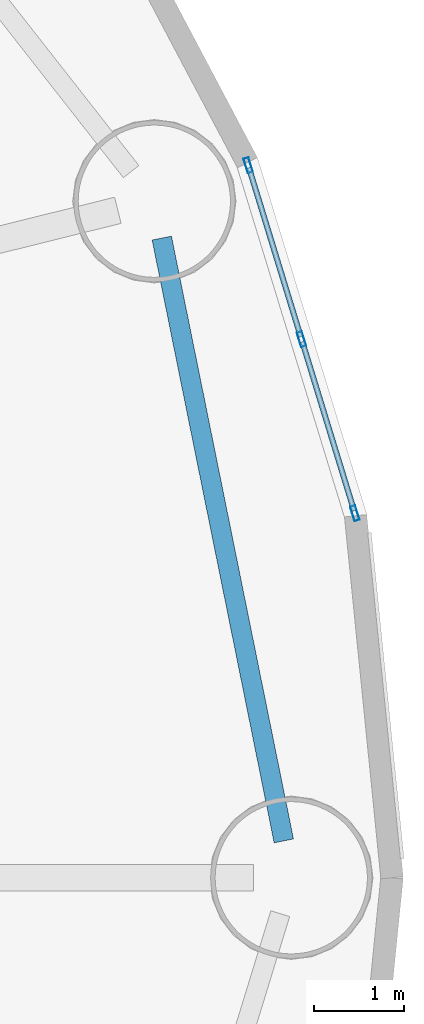
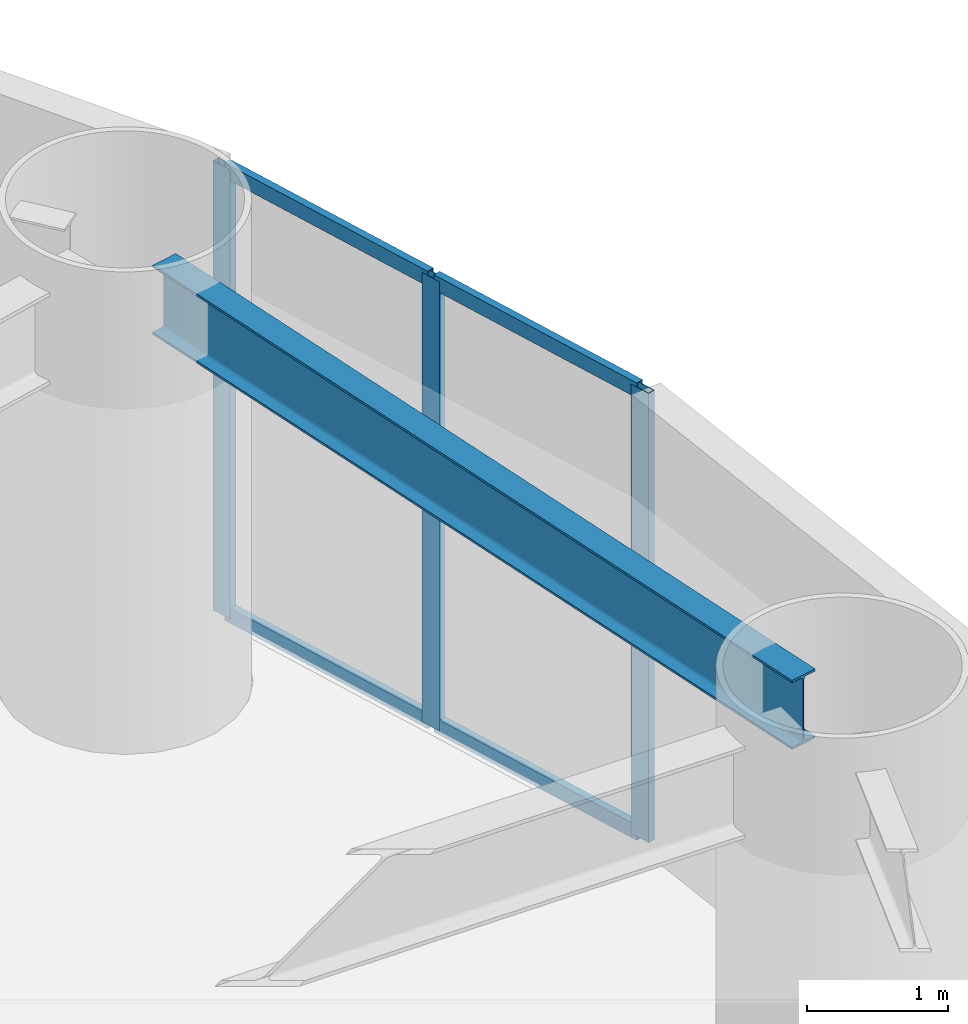
# One storey, part 11 of 31: 7 members, 1 beam, 1 element without a shape of its own.
"""IFC4 building model written with IfcOpenShell, lengths in metres."""

import ifcopenshell
import ifcopenshell.guid

model = None  # the IFC model being written
_history = None  # IfcOwnerHistory: only IFC2X3 demands one
_inside = {}  # id of a spatial element -> (the spatial element, [elements in it])
_under = {}  # id of a project, library or spatial element -> (it, [spatial elements below it])
_declared = {}  # id of a project -> (the project, [libraries it declares])
_typed = {}  # id of a type object -> (the type object, [elements of that type])
_made_of = {}  # id of a material, layer set ... -> (it, [elements and type objects made of it])


def new_model(schema):
    """Start an empty IFC model of exactly this schema.

    Asked for "IFC4X3", IfcOpenShell would pick the latest addendum, in which some entities
    have other attributes; the version numbers below select the first issue.
    IFC2X3 requires an IfcOwnerHistory on every rooted entity: one is made here for all.
    """
    global model, _history
    if schema == "IFC4X3":
        model = ifcopenshell.file(schema_version=(4, 3, 0, 0))
    else:
        model = ifcopenshell.file(schema=schema)
    _inside.clear()
    _under.clear()
    _declared.clear()
    _typed.clear()
    _made_of.clear()
    _history = None
    if model.schema == "IFC2X3":
        org = make("IfcOrganization", Name="unknown")
        user = make(
            "IfcPersonAndOrganization",
            ThePerson=make("IfcPerson", FamilyName="unknown"),
            TheOrganization=org,
        )
        app = make(
            "IfcApplication",
            ApplicationDeveloper=org,
            Version="unknown",
            ApplicationFullName="unknown",
            ApplicationIdentifier="unknown",
        )
        _history = make(
            "IfcOwnerHistory",
            OwningUser=user,
            OwningApplication=app,
            ChangeAction="ADDED",
            CreationDate=0,
        )
    return model


def make(cls, **values):
    """One entity of the class cls with the attributes given. An attribute that is None is left unset."""
    return model.create_entity(
        cls, **{name: value for name, value in values.items() if value is not None}
    )


def rooted(cls, **values):
    """An entity with a GlobalId (a new one), such as an element, a storey or a relation."""
    return make(cls, GlobalId=ifcopenshell.guid.new(), OwnerHistory=_history, **values)


def si_unit(unit_type, name, prefix=None):
    """IfcSIUnit, for example si_unit("LENGTHUNIT", "METRE", prefix="MILLI")."""
    return make("IfcSIUnit", UnitType=unit_type, Prefix=prefix, Name=name)


def assignment(units):
    """IfcUnitAssignment: the units of a project."""
    return None if units is None else make("IfcUnitAssignment", Units=units)


def point(xyz):
    """IfcCartesianPoint."""
    return None if xyz is None else make("IfcCartesianPoint", Coordinates=xyz)


def direction(xyz):
    """IfcDirection."""
    return None if xyz is None else make("IfcDirection", DirectionRatios=xyz)


def frame(location, z_axis=None, x_axis=None):
    """IfcAxis2Placement3D, a coordinate frame: its origin and axes. An axis left out is left unset."""
    return make(
        "IfcAxis2Placement3D",
        Location=point(location),
        Axis=direction(z_axis),
        RefDirection=direction(x_axis),
    )


def frame_2d(location, x_axis=None):
    """IfcAxis2Placement2D, a coordinate frame in the plane: its origin and x axis."""
    return make(
        "IfcAxis2Placement2D", Location=point(location), RefDirection=direction(x_axis)
    )


def origin():
    """The frame at (0, 0, 0) with its axes left unset."""
    return frame((0.0, 0.0, 0.0))


def origin_2d():
    """The frame at (0, 0) in the plane with its x axis left unset."""
    return frame_2d((0.0, 0.0))


def place(relative_to, where):
    """IfcLocalPlacement: puts the frame where relative to a parent placement (None: the world)."""
    return make(
        "IfcLocalPlacement", PlacementRelTo=relative_to, RelativePlacement=where
    )


def context(
    kind, dimensions, precision=None, world=None, true_north=None, identifier=None
):
    """IfcGeometricRepresentationContext, for example the 3D "Model" context."""
    return make(
        "IfcGeometricRepresentationContext",
        ContextIdentifier=identifier,
        ContextType=kind,
        CoordinateSpaceDimension=dimensions,
        Precision=precision,
        WorldCoordinateSystem=world,
        TrueNorth=true_north,
    )


def subcontext(parent, identifier, kind, view, scale=None):
    """IfcGeometricRepresentationSubContext, for example "Body" below "Model"."""
    return make(
        "IfcGeometricRepresentationSubContext",
        ContextIdentifier=identifier,
        ContextType=kind,
        ParentContext=parent,
        TargetScale=scale,
        TargetView=view,
    )


def project(units=None, contexts=None):
    """IfcProject with its units and contexts."""
    return rooted(
        "IfcProject",
        Name="project",
        RepresentationContexts=contexts,
        UnitsInContext=assignment(units),
    )


def spatial(cls, under=None, at=None, **own):
    """A site, building, storey or space (cls), placed at a placement, below another one or the project."""
    s = rooted(cls, ObjectPlacement=at, **own)
    if under is not None:
        _under.setdefault(under.id(), (under, []))[1].append(s)
    return s


def profile(cls, at=None, kind="AREA", **sizes):
    """A parametric profile (cls). Its sizes go by their IFC names, for example OverallWidth=200.0."""
    return make(cls, ProfileType=kind, Position=at, **sizes)


def hollow_rectangle(**sizes):
    """IfcRectangleHollowProfileDef."""
    return profile("IfcRectangleHollowProfileDef", **sizes)


def i_section(**sizes):
    """IfcIShapeProfileDef."""
    return profile("IfcIShapeProfileDef", **sizes)


def extrude(swept, where, along, depth):
    """IfcExtrudedAreaSolid: the profile swept, set in the frame where, extruded along a direction by depth."""
    return make(
        "IfcExtrudedAreaSolid",
        SweptArea=swept,
        Position=where,
        ExtrudedDirection=direction(along),
        Depth=depth,
    )


def shape(context_of_items, identifier, shape_type, items):
    """IfcShapeRepresentation: the items that make up one representation, for example the "Body"."""
    return make(
        "IfcShapeRepresentation",
        ContextOfItems=context_of_items,
        RepresentationIdentifier=identifier,
        RepresentationType=shape_type,
        Items=items,
    )


def source(mapping_origin, context_of_items, identifier, shape_type, items):
    """IfcRepresentationMap: a shape defined once, which mapped items show again and again."""
    return make(
        "IfcRepresentationMap",
        MappingOrigin=mapping_origin,
        MappedRepresentation=shape(context_of_items, identifier, shape_type, items),
    )


def transform(
    local_origin,
    x_axis=None,
    y_axis=None,
    z_axis=None,
    scale=None,
    scale2=None,
    scale3=None,
    uniform=True,
):
    """IfcCartesianTransformationOperator3D, or its non-uniform kind. x_axis, y_axis, z_axis: its Axis1, 2, 3."""
    if uniform:
        return make(
            "IfcCartesianTransformationOperator3D",
            Axis1=direction(x_axis),
            Axis2=direction(y_axis),
            LocalOrigin=point(local_origin),
            Scale=scale,
            Axis3=direction(z_axis),
        )
    return make(
        "IfcCartesianTransformationOperator3DnonUniform",
        Axis1=direction(x_axis),
        Axis2=direction(y_axis),
        LocalOrigin=point(local_origin),
        Scale=scale,
        Axis3=direction(z_axis),
        Scale2=scale2,
        Scale3=scale3,
    )


def mapped(mapping_source, mapping_target):
    """IfcMappedItem: shows the shape of a source again, moved by a transform."""
    return make(
        "IfcMappedItem", MappingSource=mapping_source, MappingTarget=mapping_target
    )


def material(Name=None, Category=None):
    """IfcMaterial."""
    return make("IfcMaterial", Name=Name, Category=Category)


def layer(
    of_material, thickness, ventilated=None, Name=None, Category=None, Priority=None
):
    """IfcMaterialLayer: one layer of a wall or slab, of a material (None: an air gap)."""
    return make(
        "IfcMaterialLayer",
        Material=of_material,
        LayerThickness=thickness,
        IsVentilated=ventilated,
        Name=Name,
        Category=Category,
        Priority=Priority,
    )


def layer_set(layers, Name=None):
    """IfcMaterialLayerSet."""
    return make("IfcMaterialLayerSet", MaterialLayers=layers, LayerSetName=Name)


def material_profile(
    of_material, cross_section, Name=None, Category=None, Priority=None
):
    """IfcMaterialProfile: a cross section and its material."""
    return make(
        "IfcMaterialProfile",
        Name=Name,
        Material=of_material,
        Profile=cross_section,
        Priority=Priority,
        Category=Category,
    )


def profile_set(profiles, Name=None, composite=None):
    """IfcMaterialProfileSet."""
    return make(
        "IfcMaterialProfileSet",
        Name=Name,
        MaterialProfiles=profiles,
        CompositeProfile=composite,
    )


def made_of(thing, what):
    """Note that an element or type object is made of a material, layer set ...; save() writes the relation."""
    if what is not None:
        _made_of.setdefault(what.id(), (what, []))[1].append(thing)
    return thing


def type_object(cls, material=None, **own):
    """A type object (cls), such as IfcWallType, which elements share."""
    return made_of(rooted(cls, **own), material)


def element(
    cls,
    number,
    at=None,
    inside=None,
    cuts=None,
    type_object=None,
    material=None,
    context=None,
    identifier="Body",
    shape_type=None,
    held_by="IfcProductDefinitionShape",
    body=None,
    shapes=None,
    **own,
):
    """One element of the class cls, such as IfcWall. Its Tag is "e" and its number.

    at: its placement. inside: the storey or other place that contains it. cuts: it is an
    opening in that element (IfcRelVoidsElement). A single representation is given by context,
    identifier, shape_type and body (its items); several are given by shapes. held_by: the class
    of the entity that holds the representations. save() writes the other relations.
    """
    e = rooted(cls, Tag="e%d" % number, ObjectPlacement=at, **own)
    if body is not None:
        shapes = [shape(context, identifier, shape_type, body)]
    if shapes is not None:
        e.Representation = make(held_by, Representations=shapes)
    if inside is not None:
        _inside.setdefault(inside.id(), (inside, []))[1].append(e)
    if cuts is not None:
        rooted(
            "IfcRelVoidsElement", RelatingBuildingElement=cuts, RelatedOpeningElement=e
        )
    if type_object is not None:
        _typed.setdefault(type_object.id(), (type_object, []))[1].append(e)
    return made_of(e, material)


def aggregate(whole, parts):
    """IfcRelAggregates: a whole, such as a stair, and the parts it consists of."""
    return rooted("IfcRelAggregates", RelatingObject=whole, RelatedObjects=parts)


def save(model, path):
    """Write the relations noted so far, then the file.

    IfcRelAggregates (storeys below a building ...), IfcRelContainedInSpatialStructure (elements
    in a storey), IfcRelDefinesByType, IfcRelAssociatesMaterial and IfcRelDeclares: one each for
    every whole, place, type object, material and project.
    """
    for whole, parts in _under.values():
        aggregate(whole, parts)
    for where, things in _inside.values():
        rooted(
            "IfcRelContainedInSpatialStructure",
            RelatedElements=things,
            RelatingStructure=where,
        )
    for kind, things in _typed.values():
        rooted("IfcRelDefinesByType", RelatedObjects=things, RelatingType=kind)
    for what, things in _made_of.values():
        rooted("IfcRelAssociatesMaterial", RelatedObjects=things, RelatingMaterial=what)
    for by, libraries in _declared.values():
        rooted("IfcRelDeclares", RelatingContext=by, RelatedDefinitions=libraries)
    model.write(path)


model = new_model("IFC4")

# Units and contexts
model_context = context("Model", 3, precision=1e-05, world=origin(), true_north=direction((0.0, 1.0)))
body_context = subcontext(model_context, "Body", "Model", "MODEL_VIEW")
ifc_project = project(units=[si_unit("LENGTHUNIT", "METRE"), si_unit("AREAUNIT", "SQUARE_METRE"), si_unit("VOLUMEUNIT", "CUBIC_METRE"), si_unit("PLANEANGLEUNIT", "RADIAN"), si_unit("MASSUNIT", "GRAM", prefix="KILO")], contexts=[model_context])

# Site, building, storey
site_placement = place(None, origin())
site = spatial("IfcSite", under=ifc_project, at=site_placement, CompositionType="ELEMENT")
building_placement = place(site_placement, origin())
building = spatial("IfcBuilding", under=site, at=building_placement, Name="Linh Dai School and Residence Tower", CompositionType="ELEMENT")
storey_placement = place(building_placement, frame((0.0, 0.0, 6.0)))
storey = spatial("IfcBuildingStorey", under=building, at=storey_placement, Name="L01", CompositionType="ELEMENT", Elevation=6.0)

# Beam
ifc_material_1 = material(Name="Structural Steel S355JR", Category="steel")
ifc_material_profile_1 = material_profile(ifc_material_1, i_section(OverallWidth=0.219970703125, OverallDepth=0.60009765625, WebThickness=0.011962890625, FlangeThickness=0.01904296875, FilletRadius=0.02392578125, at=origin_2d()), Name="IPE 600")
ifc_profile_set_1 = profile_set([ifc_material_profile_1], Name="Structural Steel S355JR")
beam_type = type_object("IfcBeamType", Name="BM-RB60", PredefinedType="BEAM", material=ifc_profile_set_1)
beam_placement = place(storey_placement, frame((67.86669921875, 27.41162109375, 3.60009765625), z_axis=(-0.198405440792, 0.980120034008, 0.0), x_axis=(-0.980120034008, -0.198405440792, 0.0)))
element("IfcBeam", 1, at=beam_placement, inside=storey, type_object=beam_type, Name="L01 Perimeter Elliptical Ring Beam 01", PredefinedType="BEAM", context=body_context, shape_type="SweptSolid", body=[
    extrude(i_section(OverallWidth=0.219970703125, OverallDepth=0.60009765625, WebThickness=0.011962890625, FlangeThickness=0.01904296875, FilletRadius=0.02392578125, at=origin_2d()), origin(), (0.0, 0.0, 1.0), 6.86865234375),
])

# Curtain wall, members
ifc_material_2 = material(Name="Aluminium Anodised Curtain Wall", Category="aluminium")
ifc_layer = layer(ifc_material_2, 0.169921875)
ifc_layer_set = layer_set([ifc_layer], Name="Aluminium Anodised Curtain Wall")
curtain_wall_type = type_object("IfcCurtainWallType", Name="CW-SYS-2", PredefinedType="USERDEFINED", material=ifc_layer_set)
curtain_wall_placement = place(storey_placement, origin())
curtain_wall = element("IfcCurtainWall", 2, at=curtain_wall_placement, inside=storey, type_object=curtain_wall_type, Name="L01 CW2 Curtain Wall 02", ObjectType="UNITISED CURTAIN WALL", PredefinedType="USERDEFINED")
ifc_material_3 = material(Name="Aluminium Alloy 6063-T6", Category="aluminium")
ifc_material_profile_2 = material_profile(ifc_material_3, hollow_rectangle(XDim=0.06005859375, YDim=0.169921875, WallThickness=0.00390625, at=origin_2d()), Name="RHS 170x60x4")
ifc_profile_set_2 = profile_set([ifc_material_profile_2], Name="Aluminium Alloy 6063-T6")
member_type_1 = type_object("IfcMemberType", Name="CW-SYS-2-MUL", PredefinedType="MULLION", material=ifc_profile_set_2)
shared_shape_1 = source(origin(), body_context, "Body", "SweptSolid", [
    extrude(hollow_rectangle(XDim=0.06005859375, YDim=0.169921875, WallThickness=0.00390625, at=origin_2d()), origin(), (0.0, 0.0, 1.0), 3.89990234375),
])
member_1_placement = place(storey_placement, frame((67.468505859375, 34.957763671875, 0.0), z_axis=(0.0, 0.0, 1.0), x_axis=(0.956080668415, 0.293103659962, 0.0)))
member_1 = element("IfcMember", 3, at=member_1_placement, type_object=member_type_1, Name="CW2 mullion 1", PredefinedType="MULLION", context=body_context, shape_type="MappedRepresentation", body=[
    mapped(shared_shape_1, transform((0.0, 0.0, 0.0), x_axis=(1.0, 0.0, 0.0), y_axis=(0.0, 1.0, 0.0), z_axis=(0.0, 0.0, 1.0), scale=1.0)),
])
member_2_placement = place(storey_placement, frame((68.064208984375, 33.0146484375, 0.0), z_axis=(0.0, 0.0, 1.0), x_axis=(0.956080668415, 0.293103659962, 0.0)))
member_2 = element("IfcMember", 4, at=member_2_placement, type_object=member_type_1, Name="CW2 mullion 2", PredefinedType="MULLION", context=body_context, shape_type="MappedRepresentation", body=[
    mapped(shared_shape_1, transform((0.0, 0.0, 0.0), x_axis=(1.0, 0.0, 0.0), y_axis=(0.0, 1.0, 0.0), z_axis=(0.0, 0.0, 1.0), scale=1.0)),
])
member_3_placement = place(storey_placement, frame((68.659912109375, 31.0712890625, 0.0), z_axis=(0.0, 0.0, 1.0), x_axis=(0.956080668415, 0.293103659962, 0.0)))
member_3 = element("IfcMember", 5, at=member_3_placement, type_object=member_type_1, Name="CW2 mullion 3", PredefinedType="MULLION", context=body_context, shape_type="MappedRepresentation", body=[
    mapped(shared_shape_1, transform((0.0, 0.0, 0.0), x_axis=(1.0, 0.0, 0.0), y_axis=(0.0, 1.0, 0.0), z_axis=(0.0, 0.0, 1.0), scale=1.0)),
])
ifc_material_profile_3 = material_profile(ifc_material_3, hollow_rectangle(XDim=0.06005859375, YDim=0.1298828125, WallThickness=0.00390625, at=origin_2d()), Name="RHS 130x60x4")
ifc_profile_set_3 = profile_set([ifc_material_profile_3], Name="Aluminium Alloy 6063-T6")
member_type_2 = type_object("IfcMemberType", Name="CW-SYS-2-TRN", PredefinedType="USERDEFINED", material=ifc_profile_set_3)
shared_shape_2 = source(origin(), body_context, "Body", "SweptSolid", [
    extrude(hollow_rectangle(XDim=0.06005859375, YDim=0.1298828125, WallThickness=0.00390625, at=origin_2d()), origin(), (0.0, 0.0, 1.0), 1.97265625),
])
member_4_placement = place(storey_placement, frame((67.477294921875, 34.92919921875, 0.030029296875), z_axis=(0.293076828505, -0.956088893667, 0.0), x_axis=(0.956088893667, 0.293076828505, 0.0)))
member_4 = element("IfcMember", 6, at=member_4_placement, type_object=member_type_2, Name="CW2 transom 1.1", ObjectType="TRANSOM", PredefinedType="USERDEFINED", context=body_context, shape_type="MappedRepresentation", body=[
    mapped(shared_shape_2, transform((0.0, 0.0, 0.0), x_axis=(1.0, 0.0, 0.0), y_axis=(0.0, 1.0, 0.0), z_axis=(0.0, 0.0, 1.0), scale=1.0)),
])
member_5_placement = place(storey_placement, frame((67.477294921875, 34.92919921875, 3.8701171875), z_axis=(0.293076828505, -0.956088893667, 0.0), x_axis=(0.956088893667, 0.293076828505, 0.0)))
member_5 = element("IfcMember", 7, at=member_5_placement, type_object=member_type_2, Name="CW2 transom 1.2", ObjectType="TRANSOM", PredefinedType="USERDEFINED", context=body_context, shape_type="MappedRepresentation", body=[
    mapped(shared_shape_2, transform((0.0, 0.0, 0.0), x_axis=(1.0, 0.0, 0.0), y_axis=(0.0, 1.0, 0.0), z_axis=(0.0, 0.0, 1.0), scale=1.0)),
])
member_6_placement = place(storey_placement, frame((68.072998046875, 32.98583984375, 0.030029296875), z_axis=(0.293076828505, -0.956088893667, 0.0), x_axis=(0.956088893667, 0.293076828505, 0.0)))
member_6 = element("IfcMember", 8, at=member_6_placement, type_object=member_type_2, Name="CW2 transom 2.1", ObjectType="TRANSOM", PredefinedType="USERDEFINED", context=body_context, shape_type="MappedRepresentation", body=[
    mapped(shared_shape_2, transform((0.0, 0.0, 0.0), x_axis=(1.0, 0.0, 0.0), y_axis=(0.0, 1.0, 0.0), z_axis=(0.0, 0.0, 1.0), scale=1.0)),
])
member_7_placement = place(storey_placement, frame((68.072998046875, 32.98583984375, 3.8701171875), z_axis=(0.293076828505, -0.956088893667, 0.0), x_axis=(0.956088893667, 0.293076828505, 0.0)))
member_7 = element("IfcMember", 9, at=member_7_placement, type_object=member_type_2, Name="CW2 transom 2.2", ObjectType="TRANSOM", PredefinedType="USERDEFINED", context=body_context, shape_type="MappedRepresentation", body=[
    mapped(shared_shape_2, transform((0.0, 0.0, 0.0), x_axis=(1.0, 0.0, 0.0), y_axis=(0.0, 1.0, 0.0), z_axis=(0.0, 0.0, 1.0), scale=1.0)),
])
aggregate(curtain_wall, [member_1, member_2, member_3, member_4, member_5, member_6, member_7])

save(model, "model.ifc")
